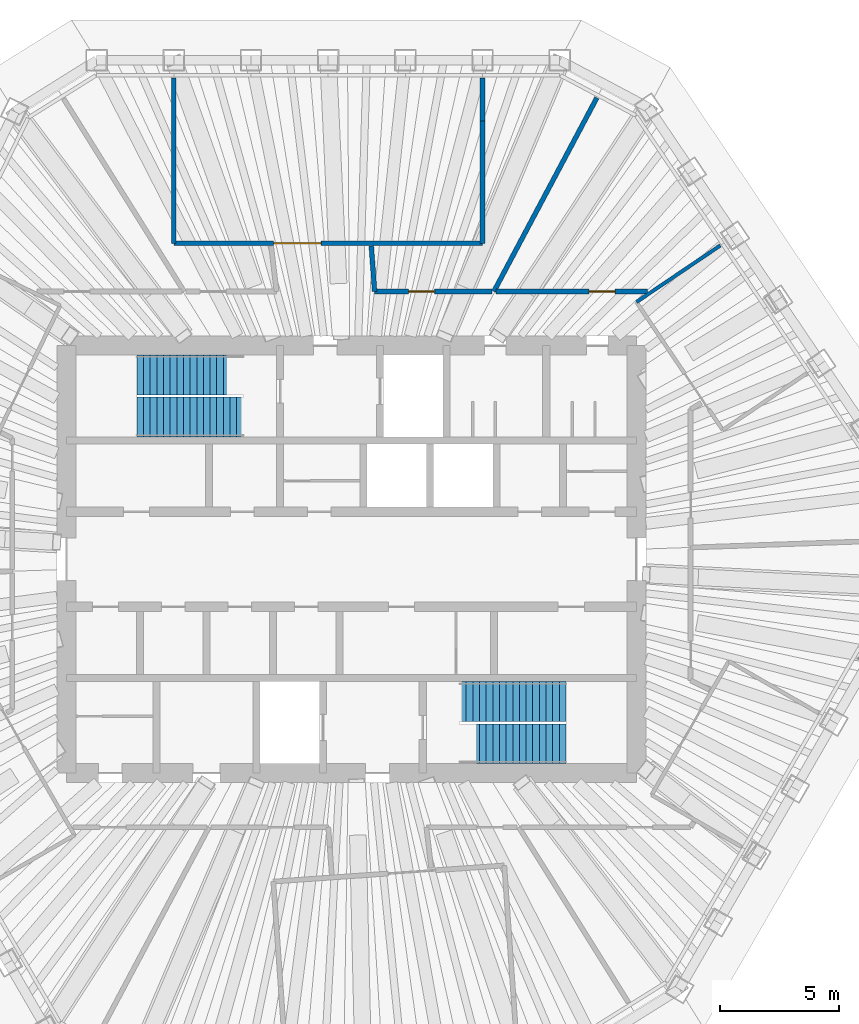
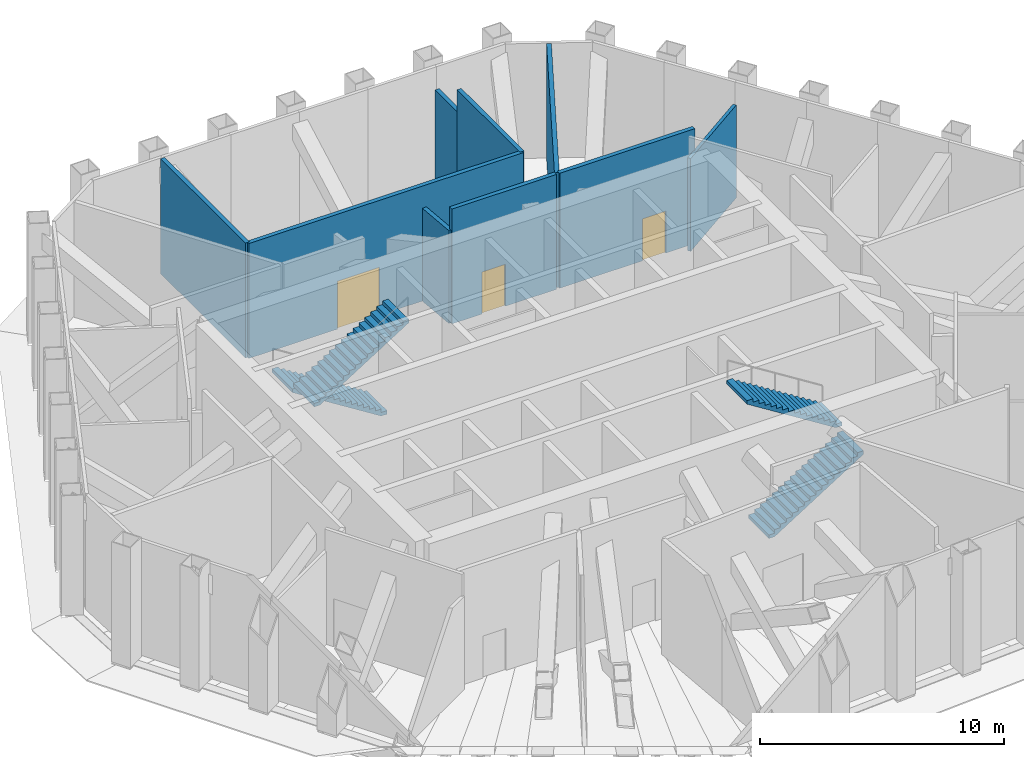
# One storey, part 8 of 10: 9 walls, 4 stair flights, 3 doors, 3 openings, 2 elements without a shape of their own.
"""IFC4 building model written with IfcOpenShell, lengths in metres."""

from ifc_helpers import new_model, si_unit, direction, frame, frame_2d, origin, place, context, subcontext, project, spatial, polyline, rectangle, outline, extrude, material, layer, layer_set, type_object, element, fill, aggregate, save


model = new_model("IFC4")

# Units and contexts
model_context = context("Model", 3, precision=1e-05, world=origin(), true_north=direction((0.0, 1.0)))
body_context = subcontext(model_context, "Body", "Model", "MODEL_VIEW")
ifc_project = project(units=[si_unit("LENGTHUNIT", "METRE"), si_unit("AREAUNIT", "SQUARE_METRE"), si_unit("VOLUMEUNIT", "CUBIC_METRE"), si_unit("PLANEANGLEUNIT", "RADIAN"), si_unit("MASSUNIT", "GRAM", prefix="KILO")], contexts=[model_context])

# Site, building, storey
site_placement = place(None, origin())
site = spatial("IfcSite", under=ifc_project, at=site_placement, CompositionType="ELEMENT")
building_placement = place(site_placement, origin())
building = spatial("IfcBuilding", under=site, at=building_placement, Name="Qingtian Harvest Tower", CompositionType="ELEMENT")
storey_placement = place(building_placement, frame((0.0, 0.0, 337.60009765625)))
storey = spatial("IfcBuildingStorey", under=building, at=storey_placement, Name="L75", CompositionType="ELEMENT", Elevation=337.60009765625)

# Walls
ifc_material_1 = material(Name="Blockwork fire wall", Category="masonry")
ifc_layer_1 = layer(ifc_material_1, 0.199951171875)
ifc_layer_set_1 = layer_set([ifc_layer_1], Name="Fire partition FW1 200")
wall_type_1 = type_object("IfcWallType", Name="Fire partition FW1 200", PredefinedType="PARTITIONING", material=ifc_layer_set_1)
wall_1_placement = place(storey_placement, frame((-7.47412109375, 20.260009765625, 0.0), z_axis=(0.0, 0.0, 1.0), x_axis=(0.0, -1.0, 0.0)))
element("IfcWall", 1, at=wall_1_placement, inside=storey, type_object=wall_type_1, Name="Water tank room wall L75", PredefinedType="PARTITIONING", context=body_context, shape_type="SweptSolid", body=[
    extrude(rectangle(XDim=6.9599609375, YDim=0.199951171875, at=frame_2d((3.47998046875, 0.0))), origin(), (0.0, 0.0, 1.0), 5.75),
])
wall_2_placement = place(storey_placement, frame((5.517822265625, 20.260009765625, 0.0), z_axis=(0.0, 0.0, 1.0), x_axis=(0.0, -1.0, 0.0)))
element("IfcWall", 2, at=wall_2_placement, inside=storey, type_object=wall_type_1, Name="Water tank room wall L75", PredefinedType="PARTITIONING", context=body_context, shape_type="SweptSolid", body=[
    extrude(rectangle(XDim=1.804931640625, YDim=0.199951171875, at=frame_2d((0.90234375, 0.0))), origin(), (0.0, 0.0, 1.0), 4.64990234375),
])

# Wall, opening, door
wall_3_placement = place(storey_placement, frame((-7.47412109375, 13.300048828125, 0.0), z_axis=(0.0, 0.0, 1.0), x_axis=(1.0, 0.0, 0.0)))
wall_3 = element("IfcWall", 3, at=wall_3_placement, inside=storey, type_object=wall_type_1, Name="Water tank room wall L75", PredefinedType="PARTITIONING", context=body_context, shape_type="SweptSolid", body=[
    extrude(rectangle(XDim=12.991943359375, YDim=0.199951171875, at=frame_2d((6.49609375, 0.0))), origin(), (0.0, 0.0, 1.0), 5.75),
])
opening_1_placement = place(wall_3_placement, frame((4.19677734375, 0.0, 0.0)))
opening_1 = element("IfcOpeningElement", 4, at=opening_1_placement, cuts=wall_3, Name="Opening FD3", PredefinedType="OPENING", context=body_context, shape_type="SweptSolid", body=[
    extrude(rectangle(XDim=2.0, YDim=2.39990234375, at=frame_2d((1.0, 1.199951171875))), frame((0.0, 0.10986328125, 0.0), z_axis=(0.0, -1.0, 0.0), x_axis=(1.0, 0.0, 0.0)), (0.0, 0.0, 1.0), 0.219970703125),
])
ifc_material_2 = material(Name="Steel-faced door leaf", Category="steel")
door_type_1 = type_object("IfcDoorType", Name="Fire door FD3 double 2 HR", OperationType="DOUBLE_DOOR_DOUBLE_SWING", PredefinedType="DOOR", material=ifc_material_2)
door_1_placement = place(opening_1_placement, origin())
door_1 = element("IfcDoor", 5, at=door_1_placement, inside=storey, type_object=door_type_1, Name="Water tank room door L75", OperationType="DOUBLE_DOOR_DOUBLE_SWING", OverallHeight=2.39990234375, OverallWidth=2.0, PredefinedType="DOOR", context=body_context, shape_type="SweptSolid", body=[
    extrude(rectangle(XDim=2.0, YDim=2.39990234375, at=frame_2d((1.0, 1.199951171875))), frame((0.0, 0.02490234375, 0.0), z_axis=(0.0, -1.0, 0.0), x_axis=(1.0, 0.0, 0.0)), (0.0, 0.0, 1.0), 0.050048828125),
])
fill(opening_1, door_1)

wall_4_placement = place(storey_placement, frame((6.073974609375, 11.27490234375, 0.0), z_axis=(0.0, 0.0, 1.0), x_axis=(1.0, 0.0, 0.0)))
wall_4 = element("IfcWall", 6, at=wall_4_placement, inside=storey, type_object=wall_type_1, Name="Fan plant room wall L75", PredefinedType="PARTITIONING", context=body_context, shape_type="SweptSolid", body=[
    extrude(rectangle(XDim=6.39501953125, YDim=0.199951171875, at=frame_2d((3.197509765625, 0.0))), origin(), (0.0, 0.0, 1.0), 5.75),
])
opening_2_placement = place(wall_4_placement, frame((3.926513671875, 0.0, 0.0)))
opening_2 = element("IfcOpeningElement", 7, at=opening_2_placement, cuts=wall_4, Name="Opening FD4", PredefinedType="OPENING", context=body_context, shape_type="SweptSolid", body=[
    extrude(rectangle(XDim=1.10009765625, YDim=2.10009765625, at=frame_2d((0.550048828125, 1.050048828125))), frame((0.0, 0.10986328125, 0.0), z_axis=(0.0, -1.0, 0.0), x_axis=(1.0, 0.0, 0.0)), (0.0, 0.0, 1.0), 0.219970703125),
])
ifc_material_3 = material(Name="Steel-faced door leaf", Category="steel")
door_type_2 = type_object("IfcDoorType", Name="Fire door FD4 single 2 HR", OperationType="SINGLE_SWING_LEFT", PredefinedType="DOOR", material=ifc_material_3)
door_2_placement = place(opening_2_placement, origin())
door_2 = element("IfcDoor", 8, at=door_2_placement, inside=storey, type_object=door_type_2, Name="Fan plant room door L75", OperationType="SINGLE_SWING_RIGHT", OverallHeight=2.10009765625, OverallWidth=1.10009765625, PredefinedType="DOOR", context=body_context, shape_type="SweptSolid", body=[
    extrude(rectangle(XDim=1.10009765625, YDim=2.10009765625, at=frame_2d((0.550048828125, 1.050048828125))), frame((0.0, 0.02490234375, 0.0), z_axis=(0.0, -1.0, 0.0), x_axis=(1.0, 0.0, 0.0)), (0.0, 0.0, 1.0), 0.050048828125),
])
fill(opening_2, door_2)

wall_5_placement = place(storey_placement, frame((0.9755859375, 11.27490234375, 0.0), z_axis=(0.0, 0.0, 1.0), x_axis=(1.0, 0.0, 0.0)))
wall_5 = element("IfcWall", 9, at=wall_5_placement, inside=storey, type_object=wall_type_1, Name="Electrical plant room wall L75", PredefinedType="PARTITIONING", context=body_context, shape_type="SweptSolid", body=[
    extrude(rectangle(XDim=4.94580078125, YDim=0.199951171875, at=frame_2d((2.472900390625, 0.0))), origin(), (0.0, 0.0, 1.0), 5.75),
])
opening_3_placement = place(wall_5_placement, frame((1.42822265625, 0.0, 0.0)))
opening_3 = element("IfcOpeningElement", 10, at=opening_3_placement, cuts=wall_5, Name="Opening FD4", PredefinedType="OPENING", context=body_context, shape_type="SweptSolid", body=[
    extrude(rectangle(XDim=1.10009765625, YDim=2.10009765625, at=frame_2d((0.550048828125, 1.050048828125))), frame((0.0, 0.10986328125, 0.0), z_axis=(0.0, -1.0, 0.0), x_axis=(1.0, 0.0, 0.0)), (0.0, 0.0, 1.0), 0.219970703125),
])
door_3_placement = place(opening_3_placement, origin())
door_3 = element("IfcDoor", 11, at=door_3_placement, inside=storey, type_object=door_type_2, Name="Electrical plant room door L75", OperationType="SINGLE_SWING_LEFT", OverallHeight=2.10009765625, OverallWidth=1.10009765625, PredefinedType="DOOR", context=body_context, shape_type="SweptSolid", body=[
    extrude(rectangle(XDim=1.10009765625, YDim=2.10009765625, at=frame_2d((0.550048828125, 1.050048828125))), frame((0.0, 0.02490234375, 0.0), z_axis=(0.0, -1.0, 0.0), x_axis=(1.0, 0.0, 0.0)), (0.0, 0.0, 1.0), 0.050048828125),
])
fill(opening_3, door_3)

# Walls
wall_6_placement = place(storey_placement, frame((0.83447265625, 13.195068359375, 0.0), z_axis=(0.0, 0.0, 1.0), x_axis=(0.073292493621, -0.997310488453, 0.0)))
element("IfcWall", 12, at=wall_6_placement, inside=storey, type_object=wall_type_1, Name="Electrical plant room wall L75", PredefinedType="PARTITIONING", context=body_context, shape_type="SweptSolid", body=[
    extrude(rectangle(XDim=1.92529296875, YDim=0.199951171875, at=frame_2d((0.962646484375, 0.0))), origin(), (0.0, 0.0, 1.0), 4.64990234375),
])
wall_7_placement = place(storey_placement, frame((5.9951171875, 11.27490234375, 0.0), z_axis=(0.0, 0.0, 1.0), x_axis=(0.469452402124, 0.882957780497, 0.0)))
element("IfcWall", 13, at=wall_7_placement, inside=storey, type_object=wall_type_1, Name="Plant room wall L75", PredefinedType="PARTITIONING", context=body_context, shape_type="SweptSolid", body=[
    extrude(rectangle(XDim=9.2294921875, YDim=0.199951171875, at=frame_2d((4.61474609375, 0.0))), origin(), (0.0, 0.0, 1.0), 5.75),
])
wall_8_placement = place(storey_placement, frame((5.517822265625, 18.455078125, 0.0), z_axis=(0.0, 0.0, 1.0), x_axis=(0.0, -1.0, 0.0)))
element("IfcWall", 14, at=wall_8_placement, inside=storey, type_object=wall_type_1, Name="Water tank room wall L75", PredefinedType="PARTITIONING", context=body_context, shape_type="SweptSolid", body=[
    extrude(rectangle(XDim=5.155029296875, YDim=0.199951171875, at=frame_2d((2.57763671875, 0.0))), origin(), (0.0, 0.0, 1.0), 5.75),
])
ifc_material_4 = material(Name="Gypsum board on steel studs", Category="steel")
ifc_layer_2 = layer(ifc_material_4, 0.14990234375)
ifc_layer_set_2 = layer_set([ifc_layer_2], Name="Partition PT1 150")
wall_type_2 = type_object("IfcWallType", Name="Partition PT1 150", PredefinedType="PARTITIONING", material=ifc_layer_set_2)
wall_9_placement = place(storey_placement, frame((15.527099609375, 13.2109375, 0.0), z_axis=(0.0, 0.0, 1.0), x_axis=(-0.82904926797, -0.559175563914, 0.0)))
element("IfcWall", 15, at=wall_9_placement, inside=storey, type_object=wall_type_2, Name="Chiller plant room wall L75", PredefinedType="PARTITIONING", context=body_context, shape_type="SweptSolid", body=[
    extrude(rectangle(XDim=4.260009765625, YDim=0.14990234375, at=frame_2d((2.1298828125, 0.0))), origin(), (0.0, 0.0, 1.0), 4.64990234375),
])

# Stair, stair flights
ifc_material_5 = material(Name="Concrete fc' 35 MPa", Category="concrete")
stair_type = type_object("IfcStairType", Name="Special stair ST8 6000", PredefinedType="HALF_TURN_STAIR", material=ifc_material_5)
stair_1_placement = place(storey_placement, origin())
stair_1 = element("IfcStair", 16, at=stair_1_placement, inside=storey, type_object=stair_type, Name="Special stair S1 L75", PredefinedType="HALF_TURN_STAIR")
ifc_material_6 = material(Name="Concrete fc' 35 MPa", Category="concrete")
stair_flight_type = type_object("IfcStairFlightType", Name="Stair flight SF8 6000", PredefinedType="STRAIGHT", material=ifc_material_6)
stair_flight_1_placement = place(storey_placement, frame((-4.550048828125, 7.762451171875, 0.0), z_axis=(0.0, 0.0, 1.0), x_axis=(-1.0, 0.0, 0.0)))
stair_flight_1 = element("IfcStairFlight", 17, at=stair_flight_1_placement, type_object=stair_flight_type, Name="S1 flight 1", NumberOfRisers=17, NumberOfTreads=16, PredefinedType="STRAIGHT", RiserHeight=0.176470588, TreadLength=0.28, context=body_context, shape_type="SweptSolid", body=[
    extrude(outline(polyline([(0.0, 0.0), (0.0, 0.176513671875), (0.280029296875, 0.176513671875), (0.280029296875, 0.35302734375), (0.56005859375, 0.35302734375), (0.56005859375, 0.529296875), (0.840087890625, 0.529296875), (0.840087890625, 0.705810546875), (1.1201171875, 0.705810546875), (1.1201171875, 0.88232421875), (1.39990234375, 0.88232421875), (1.39990234375, 1.058837890625), (1.679931640625, 1.058837890625), (1.679931640625, 1.2353515625), (1.9599609375, 1.2353515625), (1.9599609375, 1.411865234375), (2.239990234375, 1.411865234375), (2.239990234375, 1.588134765625), (2.52001953125, 1.588134765625), (2.52001953125, 1.7646484375), (2.800048828125, 1.7646484375), (2.800048828125, 1.941162109375), (3.080078125, 1.941162109375), (3.080078125, 2.11767578125), (3.360107421875, 2.11767578125), (3.360107421875, 2.294189453125), (3.639892578125, 2.294189453125), (3.639892578125, 2.470703125), (3.919921875, 2.470703125), (3.919921875, 2.64697265625), (4.199951171875, 2.64697265625), (4.199951171875, 2.823486328125), (4.47998046875, 2.823486328125), (4.47998046875, 3.0), (4.47998046875, 2.646240234375), (0.28125, 0.0), (0.0, 0.0)])), frame((0.0, 0.83740234375, 0.0), z_axis=(0.0, -1.0, 0.0), x_axis=(1.0, 0.0, 0.0)), (0.0, 0.0, 1.0), 1.675048828125),
])
stair_flight_2_placement = place(storey_placement, frame((-9.030029296875, 5.987548828125, 3.0), z_axis=(0.0, 0.0, 1.0), x_axis=(1.0, 0.0, 0.0)))
stair_flight_2 = element("IfcStairFlight", 18, at=stair_flight_2_placement, type_object=stair_flight_type, Name="S1 flight 2", NumberOfRisers=17, NumberOfTreads=16, PredefinedType="STRAIGHT", RiserHeight=0.176470588, TreadLength=0.28, context=body_context, shape_type="SweptSolid", body=[
    extrude(outline(polyline([(0.0, 0.0), (0.0, 0.176513671875), (0.280029296875, 0.176513671875), (0.280029296875, 0.35302734375), (0.56005859375, 0.35302734375), (0.56005859375, 0.529296875), (0.840087890625, 0.529296875), (0.840087890625, 0.705810546875), (1.1201171875, 0.705810546875), (1.1201171875, 0.88232421875), (1.39990234375, 0.88232421875), (1.39990234375, 1.058837890625), (1.679931640625, 1.058837890625), (1.679931640625, 1.2353515625), (1.9599609375, 1.2353515625), (1.9599609375, 1.411865234375), (2.239990234375, 1.411865234375), (2.239990234375, 1.588134765625), (2.52001953125, 1.588134765625), (2.52001953125, 1.7646484375), (2.800048828125, 1.7646484375), (2.800048828125, 1.941162109375), (3.080078125, 1.941162109375), (3.080078125, 2.11767578125), (3.360107421875, 2.11767578125), (3.360107421875, 2.294189453125), (3.639892578125, 2.294189453125), (3.639892578125, 2.470703125), (3.919921875, 2.470703125), (3.919921875, 2.64697265625), (4.199951171875, 2.64697265625), (4.199951171875, 2.823486328125), (4.47998046875, 2.823486328125), (4.47998046875, 3.0), (4.47998046875, 2.646240234375), (0.28125, 0.0), (0.0, 0.0)])), frame((0.0, 0.83740234375, 0.0), z_axis=(0.0, -1.0, 0.0), x_axis=(1.0, 0.0, 0.0)), (0.0, 0.0, 1.0), 1.675048828125),
])
aggregate(stair_1, [stair_flight_1, stair_flight_2])

stair_2_placement = place(storey_placement, origin())
stair_2 = element("IfcStair", 19, at=stair_2_placement, inside=storey, type_object=stair_type, Name="Special stair S2 L75", PredefinedType="HALF_TURN_STAIR")
stair_flight_3_placement = place(storey_placement, frame((4.550048828125, -7.762451171875, 0.0), z_axis=(0.0, 0.0, 1.0), x_axis=(1.0, 0.0, 0.0)))
stair_flight_3 = element("IfcStairFlight", 20, at=stair_flight_3_placement, type_object=stair_flight_type, Name="S2 flight 1", NumberOfRisers=17, NumberOfTreads=16, PredefinedType="STRAIGHT", RiserHeight=0.176470588, TreadLength=0.28, context=body_context, shape_type="SweptSolid", body=[
    extrude(outline(polyline([(0.0, 0.0), (0.0, 0.176513671875), (0.280029296875, 0.176513671875), (0.280029296875, 0.35302734375), (0.56005859375, 0.35302734375), (0.56005859375, 0.529296875), (0.840087890625, 0.529296875), (0.840087890625, 0.705810546875), (1.1201171875, 0.705810546875), (1.1201171875, 0.88232421875), (1.39990234375, 0.88232421875), (1.39990234375, 1.058837890625), (1.679931640625, 1.058837890625), (1.679931640625, 1.2353515625), (1.9599609375, 1.2353515625), (1.9599609375, 1.411865234375), (2.239990234375, 1.411865234375), (2.239990234375, 1.588134765625), (2.52001953125, 1.588134765625), (2.52001953125, 1.7646484375), (2.800048828125, 1.7646484375), (2.800048828125, 1.941162109375), (3.080078125, 1.941162109375), (3.080078125, 2.11767578125), (3.360107421875, 2.11767578125), (3.360107421875, 2.294189453125), (3.639892578125, 2.294189453125), (3.639892578125, 2.470703125), (3.919921875, 2.470703125), (3.919921875, 2.64697265625), (4.199951171875, 2.64697265625), (4.199951171875, 2.823486328125), (4.47998046875, 2.823486328125), (4.47998046875, 3.0), (4.47998046875, 2.646240234375), (0.28125, 0.0), (0.0, 0.0)])), frame((0.0, 0.83740234375, 0.0), z_axis=(0.0, -1.0, 0.0), x_axis=(1.0, 0.0, 0.0)), (0.0, 0.0, 1.0), 1.675048828125),
])
stair_flight_4_placement = place(storey_placement, frame((9.030029296875, -5.987548828125, 3.0), z_axis=(0.0, 0.0, 1.0), x_axis=(-1.0, 0.0, 0.0)))
stair_flight_4 = element("IfcStairFlight", 21, at=stair_flight_4_placement, type_object=stair_flight_type, Name="S2 flight 2", NumberOfRisers=17, NumberOfTreads=16, PredefinedType="STRAIGHT", RiserHeight=0.176470588, TreadLength=0.28, context=body_context, shape_type="SweptSolid", body=[
    extrude(outline(polyline([(0.0, 0.0), (0.0, 0.176513671875), (0.280029296875, 0.176513671875), (0.280029296875, 0.35302734375), (0.56005859375, 0.35302734375), (0.56005859375, 0.529296875), (0.840087890625, 0.529296875), (0.840087890625, 0.705810546875), (1.1201171875, 0.705810546875), (1.1201171875, 0.88232421875), (1.39990234375, 0.88232421875), (1.39990234375, 1.058837890625), (1.679931640625, 1.058837890625), (1.679931640625, 1.2353515625), (1.9599609375, 1.2353515625), (1.9599609375, 1.411865234375), (2.239990234375, 1.411865234375), (2.239990234375, 1.588134765625), (2.52001953125, 1.588134765625), (2.52001953125, 1.7646484375), (2.800048828125, 1.7646484375), (2.800048828125, 1.941162109375), (3.080078125, 1.941162109375), (3.080078125, 2.11767578125), (3.360107421875, 2.11767578125), (3.360107421875, 2.294189453125), (3.639892578125, 2.294189453125), (3.639892578125, 2.470703125), (3.919921875, 2.470703125), (3.919921875, 2.64697265625), (4.199951171875, 2.64697265625), (4.199951171875, 2.823486328125), (4.47998046875, 2.823486328125), (4.47998046875, 3.0), (4.47998046875, 2.646240234375), (0.28125, 0.0), (0.0, 0.0)])), frame((0.0, 0.83740234375, 0.0), z_axis=(0.0, -1.0, 0.0), x_axis=(1.0, 0.0, 0.0)), (0.0, 0.0, 1.0), 1.675048828125),
])
aggregate(stair_2, [stair_flight_3, stair_flight_4])

save(model, "model.ifc")
